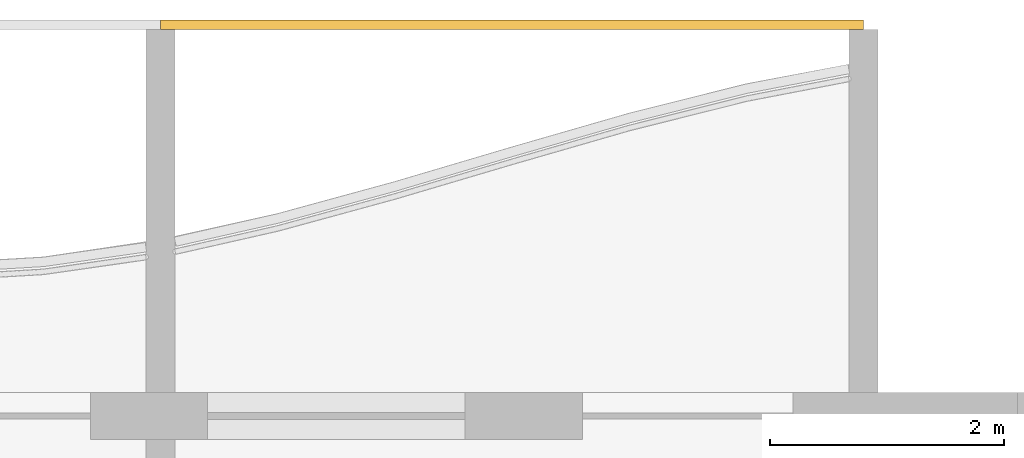
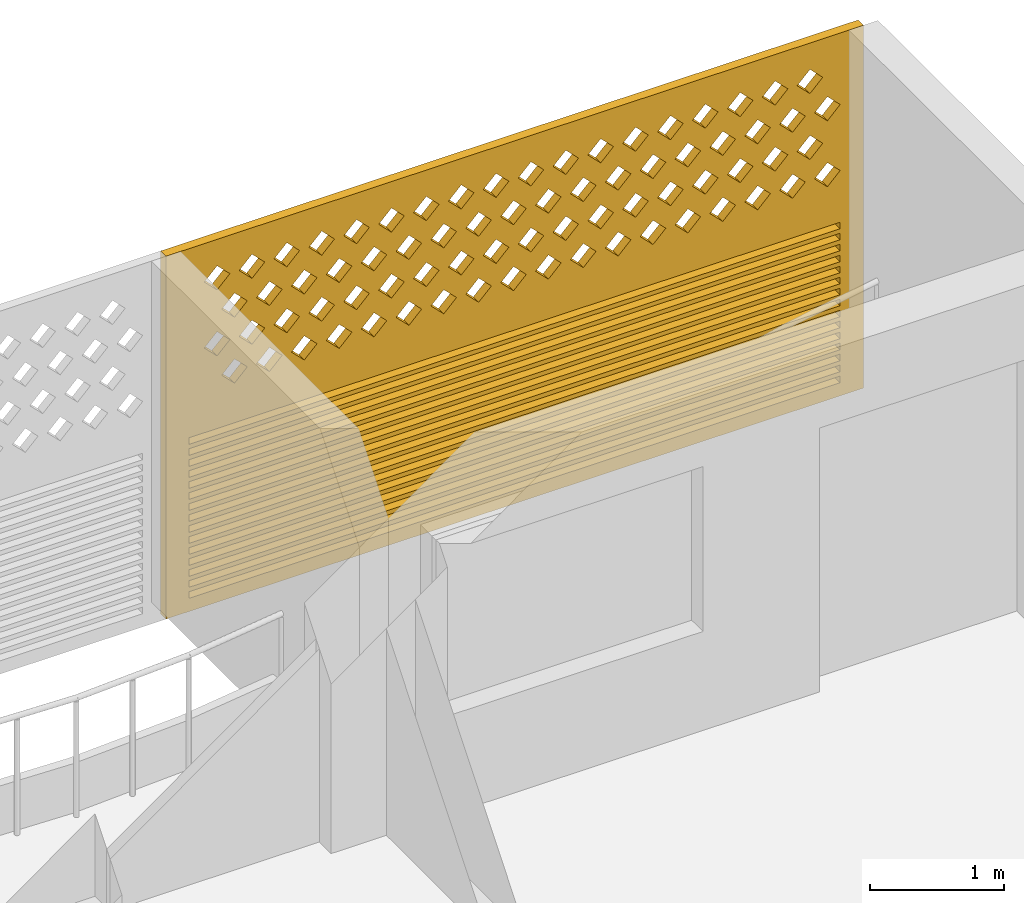
# One storey, part 26 of 26: 1 covering.
"""IFC4 building model written with IfcOpenShell, lengths in metres."""

import ifcopenshell
import ifcopenshell.guid

model = None  # the IFC model being written
_history = None  # IfcOwnerHistory: only IFC2X3 demands one
_inside = {}  # id of a spatial element -> (the spatial element, [elements in it])
_under = {}  # id of a project, library or spatial element -> (it, [spatial elements below it])
_declared = {}  # id of a project -> (the project, [libraries it declares])
_typed = {}  # id of a type object -> (the type object, [elements of that type])
_made_of = {}  # id of a material, layer set ... -> (it, [elements and type objects made of it])


def new_model(schema):
    """Start an empty IFC model of exactly this schema.

    Asked for "IFC4X3", IfcOpenShell would pick the latest addendum, in which some entities
    have other attributes; the version numbers below select the first issue.
    IFC2X3 requires an IfcOwnerHistory on every rooted entity: one is made here for all.
    """
    global model, _history
    if schema == "IFC4X3":
        model = ifcopenshell.file(schema_version=(4, 3, 0, 0))
    else:
        model = ifcopenshell.file(schema=schema)
    _inside.clear()
    _under.clear()
    _declared.clear()
    _typed.clear()
    _made_of.clear()
    _history = None
    if model.schema == "IFC2X3":
        org = make("IfcOrganization", Name="unknown")
        user = make(
            "IfcPersonAndOrganization",
            ThePerson=make("IfcPerson", FamilyName="unknown"),
            TheOrganization=org,
        )
        app = make(
            "IfcApplication",
            ApplicationDeveloper=org,
            Version="unknown",
            ApplicationFullName="unknown",
            ApplicationIdentifier="unknown",
        )
        _history = make(
            "IfcOwnerHistory",
            OwningUser=user,
            OwningApplication=app,
            ChangeAction="ADDED",
            CreationDate=0,
        )
    return model


def make(cls, **values):
    """One entity of the class cls with the attributes given. An attribute that is None is left unset."""
    return model.create_entity(
        cls, **{name: value for name, value in values.items() if value is not None}
    )


def rooted(cls, **values):
    """An entity with a GlobalId (a new one), such as an element, a storey or a relation."""
    return make(cls, GlobalId=ifcopenshell.guid.new(), OwnerHistory=_history, **values)


def si_unit(unit_type, name, prefix=None):
    """IfcSIUnit, for example si_unit("LENGTHUNIT", "METRE", prefix="MILLI")."""
    return make("IfcSIUnit", UnitType=unit_type, Prefix=prefix, Name=name)


def assignment(units):
    """IfcUnitAssignment: the units of a project."""
    return None if units is None else make("IfcUnitAssignment", Units=units)


def point(xyz):
    """IfcCartesianPoint."""
    return None if xyz is None else make("IfcCartesianPoint", Coordinates=xyz)


def direction(xyz):
    """IfcDirection."""
    return None if xyz is None else make("IfcDirection", DirectionRatios=xyz)


def frame(location, z_axis=None, x_axis=None):
    """IfcAxis2Placement3D, a coordinate frame: its origin and axes. An axis left out is left unset."""
    return make(
        "IfcAxis2Placement3D",
        Location=point(location),
        Axis=direction(z_axis),
        RefDirection=direction(x_axis),
    )


def origin():
    """The frame at (0, 0, 0) with its axes left unset."""
    return frame((0.0, 0.0, 0.0))


def place(relative_to, where):
    """IfcLocalPlacement: puts the frame where relative to a parent placement (None: the world)."""
    return make(
        "IfcLocalPlacement", PlacementRelTo=relative_to, RelativePlacement=where
    )


def context(
    kind, dimensions, precision=None, world=None, true_north=None, identifier=None
):
    """IfcGeometricRepresentationContext, for example the 3D "Model" context."""
    return make(
        "IfcGeometricRepresentationContext",
        ContextIdentifier=identifier,
        ContextType=kind,
        CoordinateSpaceDimension=dimensions,
        Precision=precision,
        WorldCoordinateSystem=world,
        TrueNorth=true_north,
    )


def subcontext(parent, identifier, kind, view, scale=None):
    """IfcGeometricRepresentationSubContext, for example "Body" below "Model"."""
    return make(
        "IfcGeometricRepresentationSubContext",
        ContextIdentifier=identifier,
        ContextType=kind,
        ParentContext=parent,
        TargetScale=scale,
        TargetView=view,
    )


def project(units=None, contexts=None):
    """IfcProject with its units and contexts."""
    return rooted(
        "IfcProject",
        Name="project",
        RepresentationContexts=contexts,
        UnitsInContext=assignment(units),
    )


def spatial(cls, under=None, at=None, **own):
    """A site, building, storey or space (cls), placed at a placement, below another one or the project."""
    s = rooted(cls, ObjectPlacement=at, **own)
    if under is not None:
        _under.setdefault(under.id(), (under, []))[1].append(s)
    return s


def polyline(points):
    """IfcPolyline through the points."""
    return make("IfcPolyline", Points=[point(p) for p in points])


def outline(outer, holes=None, kind="AREA"):
    """IfcArbitraryClosedProfileDef: a profile drawn as a closed curve; with holes, ...WithVoids."""
    if holes is None:
        return make("IfcArbitraryClosedProfileDef", ProfileType=kind, OuterCurve=outer)
    return make(
        "IfcArbitraryProfileDefWithVoids",
        ProfileType=kind,
        OuterCurve=outer,
        InnerCurves=holes,
    )


def extrude(swept, where, along, depth):
    """IfcExtrudedAreaSolid: the profile swept, set in the frame where, extruded along a direction by depth."""
    return make(
        "IfcExtrudedAreaSolid",
        SweptArea=swept,
        Position=where,
        ExtrudedDirection=direction(along),
        Depth=depth,
    )


def shape(context_of_items, identifier, shape_type, items):
    """IfcShapeRepresentation: the items that make up one representation, for example the "Body"."""
    return make(
        "IfcShapeRepresentation",
        ContextOfItems=context_of_items,
        RepresentationIdentifier=identifier,
        RepresentationType=shape_type,
        Items=items,
    )


def source(mapping_origin, context_of_items, identifier, shape_type, items):
    """IfcRepresentationMap: a shape defined once, which mapped items show again and again."""
    return make(
        "IfcRepresentationMap",
        MappingOrigin=mapping_origin,
        MappedRepresentation=shape(context_of_items, identifier, shape_type, items),
    )


def transform(
    local_origin,
    x_axis=None,
    y_axis=None,
    z_axis=None,
    scale=None,
    scale2=None,
    scale3=None,
    uniform=True,
):
    """IfcCartesianTransformationOperator3D, or its non-uniform kind. x_axis, y_axis, z_axis: its Axis1, 2, 3."""
    if uniform:
        return make(
            "IfcCartesianTransformationOperator3D",
            Axis1=direction(x_axis),
            Axis2=direction(y_axis),
            LocalOrigin=point(local_origin),
            Scale=scale,
            Axis3=direction(z_axis),
        )
    return make(
        "IfcCartesianTransformationOperator3DnonUniform",
        Axis1=direction(x_axis),
        Axis2=direction(y_axis),
        LocalOrigin=point(local_origin),
        Scale=scale,
        Axis3=direction(z_axis),
        Scale2=scale2,
        Scale3=scale3,
    )


def mapped(mapping_source, mapping_target):
    """IfcMappedItem: shows the shape of a source again, moved by a transform."""
    return make(
        "IfcMappedItem", MappingSource=mapping_source, MappingTarget=mapping_target
    )


def material(Name=None, Category=None):
    """IfcMaterial."""
    return make("IfcMaterial", Name=Name, Category=Category)


def material_profile(
    of_material, cross_section, Name=None, Category=None, Priority=None
):
    """IfcMaterialProfile: a cross section and its material."""
    return make(
        "IfcMaterialProfile",
        Name=Name,
        Material=of_material,
        Profile=cross_section,
        Priority=Priority,
        Category=Category,
    )


def profile_set(profiles, Name=None, composite=None):
    """IfcMaterialProfileSet."""
    return make(
        "IfcMaterialProfileSet",
        Name=Name,
        MaterialProfiles=profiles,
        CompositeProfile=composite,
    )


def made_of(thing, what):
    """Note that an element or type object is made of a material, layer set ...; save() writes the relation."""
    if what is not None:
        _made_of.setdefault(what.id(), (what, []))[1].append(thing)
    return thing


def type_object(cls, material=None, **own):
    """A type object (cls), such as IfcWallType, which elements share."""
    return made_of(rooted(cls, **own), material)


def element(
    cls,
    number,
    at=None,
    inside=None,
    cuts=None,
    type_object=None,
    material=None,
    context=None,
    identifier="Body",
    shape_type=None,
    held_by="IfcProductDefinitionShape",
    body=None,
    shapes=None,
    **own,
):
    """One element of the class cls, such as IfcWall. Its Tag is "e" and its number.

    at: its placement. inside: the storey or other place that contains it. cuts: it is an
    opening in that element (IfcRelVoidsElement). A single representation is given by context,
    identifier, shape_type and body (its items); several are given by shapes. held_by: the class
    of the entity that holds the representations. save() writes the other relations.
    """
    e = rooted(cls, Tag="e%d" % number, ObjectPlacement=at, **own)
    if body is not None:
        shapes = [shape(context, identifier, shape_type, body)]
    if shapes is not None:
        e.Representation = make(held_by, Representations=shapes)
    if inside is not None:
        _inside.setdefault(inside.id(), (inside, []))[1].append(e)
    if cuts is not None:
        rooted(
            "IfcRelVoidsElement", RelatingBuildingElement=cuts, RelatedOpeningElement=e
        )
    if type_object is not None:
        _typed.setdefault(type_object.id(), (type_object, []))[1].append(e)
    return made_of(e, material)


def aggregate(whole, parts):
    """IfcRelAggregates: a whole, such as a stair, and the parts it consists of."""
    return rooted("IfcRelAggregates", RelatingObject=whole, RelatedObjects=parts)


def save(model, path):
    """Write the relations noted so far, then the file.

    IfcRelAggregates (storeys below a building ...), IfcRelContainedInSpatialStructure (elements
    in a storey), IfcRelDefinesByType, IfcRelAssociatesMaterial and IfcRelDeclares: one each for
    every whole, place, type object, material and project.
    """
    for whole, parts in _under.values():
        aggregate(whole, parts)
    for where, things in _inside.values():
        rooted(
            "IfcRelContainedInSpatialStructure",
            RelatedElements=things,
            RelatingStructure=where,
        )
    for kind, things in _typed.values():
        rooted("IfcRelDefinesByType", RelatedObjects=things, RelatingType=kind)
    for what, things in _made_of.values():
        rooted("IfcRelAssociatesMaterial", RelatedObjects=things, RelatingMaterial=what)
    for by, libraries in _declared.values():
        rooted("IfcRelDeclares", RelatingContext=by, RelatedDefinitions=libraries)
    model.write(path)


model = new_model("IFC4")

# Units and contexts
model_context = context("Model", 3, precision=1e-05, world=origin(), true_north=direction((0.0, 1.0)))
body_context = subcontext(model_context, "Body", "Model", "MODEL_VIEW")
ifc_project = project(units=[si_unit("LENGTHUNIT", "METRE"), si_unit("AREAUNIT", "SQUARE_METRE"), si_unit("VOLUMEUNIT", "CUBIC_METRE"), si_unit("PLANEANGLEUNIT", "RADIAN"), si_unit("MASSUNIT", "GRAM", prefix="KILO")], contexts=[model_context])

# Site, building, storey
site_placement = place(None, origin())
site = spatial("IfcSite", under=ifc_project, at=site_placement, CompositionType="ELEMENT")
building_placement = place(site_placement, origin())
building = spatial("IfcBuilding", under=site, at=building_placement, Name="Poui Terraces", CompositionType="ELEMENT")
storey_placement = place(building_placement, frame((0.0, 0.0, 241.199951171875)))
storey = spatial("IfcBuildingStorey", under=building, at=storey_placement, Name="L67", CompositionType="ELEMENT", Elevation=241.199951171875)

# Covering
ifc_material = material(Name="Terracotta screen", Category="masonry")
ifc_material_profile = material_profile(ifc_material, outline(polyline([(-3.0, -1.64990234375), (3.0, -1.64990234375), (3.0, 1.64990234375), (-3.0, 1.64990234375), (-3.0, -1.64990234375)]), holes=[polyline([(-2.800048828125, 0.39990234375), (-2.68994140625, 0.2900390625), (-2.580078125, 0.39990234375), (-2.68994140625, 0.510009765625), (-2.800048828125, 0.39990234375)]), polyline([(-2.5, 0.39990234375), (-2.389892578125, 0.2900390625), (-2.280029296875, 0.39990234375), (-2.389892578125, 0.510009765625), (-2.5, 0.39990234375)]), polyline([(-2.199951171875, 0.39990234375), (-2.090087890625, 0.2900390625), (-1.97998046875, 0.39990234375), (-2.090087890625, 0.510009765625), (-2.199951171875, 0.39990234375)]), polyline([(-1.89990234375, 0.39990234375), (-1.7900390625, 0.2900390625), (-1.679931640625, 0.39990234375), (-1.7900390625, 0.510009765625), (-1.89990234375, 0.39990234375)]), polyline([(-1.60009765625, 0.39990234375), (-1.489990234375, 0.2900390625), (-1.3798828125, 0.39990234375), (-1.489990234375, 0.510009765625), (-1.60009765625, 0.39990234375)]), polyline([(-1.300048828125, 0.39990234375), (-1.18994140625, 0.2900390625), (-1.080078125, 0.39990234375), (-1.18994140625, 0.510009765625), (-1.300048828125, 0.39990234375)]), polyline([(-1.0, 0.39990234375), (-0.889892578125, 0.2900390625), (-0.780029296875, 0.39990234375), (-0.889892578125, 0.510009765625), (-1.0, 0.39990234375)]), polyline([(-0.699951171875, 0.39990234375), (-0.590087890625, 0.2900390625), (-0.47998046875, 0.39990234375), (-0.590087890625, 0.510009765625), (-0.699951171875, 0.39990234375)]), polyline([(-0.39990234375, 0.39990234375), (-0.2900390625, 0.2900390625), (-0.179931640625, 0.39990234375), (-0.2900390625, 0.510009765625), (-0.39990234375, 0.39990234375)]), polyline([(-0.10009765625, 0.39990234375), (0.010009765625, 0.2900390625), (0.1201171875, 0.39990234375), (0.010009765625, 0.510009765625), (-0.10009765625, 0.39990234375)]), polyline([(0.199951171875, 0.39990234375), (0.31005859375, 0.2900390625), (0.419921875, 0.39990234375), (0.31005859375, 0.510009765625), (0.199951171875, 0.39990234375)]), polyline([(0.5, 0.39990234375), (0.610107421875, 0.2900390625), (0.719970703125, 0.39990234375), (0.610107421875, 0.510009765625), (0.5, 0.39990234375)]), polyline([(0.800048828125, 0.39990234375), (0.909912109375, 0.2900390625), (1.02001953125, 0.39990234375), (0.909912109375, 0.510009765625), (0.800048828125, 0.39990234375)]), polyline([(1.10009765625, 0.39990234375), (1.2099609375, 0.2900390625), (1.320068359375, 0.39990234375), (1.2099609375, 0.510009765625), (1.10009765625, 0.39990234375)]), polyline([(1.39990234375, 0.39990234375), (1.510009765625, 0.2900390625), (1.6201171875, 0.39990234375), (1.510009765625, 0.510009765625), (1.39990234375, 0.39990234375)]), polyline([(1.699951171875, 0.39990234375), (1.81005859375, 0.2900390625), (1.919921875, 0.39990234375), (1.81005859375, 0.510009765625), (1.699951171875, 0.39990234375)]), polyline([(2.0, 0.39990234375), (2.110107421875, 0.2900390625), (2.219970703125, 0.39990234375), (2.110107421875, 0.510009765625), (2.0, 0.39990234375)]), polyline([(2.300048828125, 0.39990234375), (2.409912109375, 0.2900390625), (2.52001953125, 0.39990234375), (2.409912109375, 0.510009765625), (2.300048828125, 0.39990234375)]), polyline([(-2.64990234375, 0.699951171875), (-2.5400390625, 0.590087890625), (-2.429931640625, 0.699951171875), (-2.5400390625, 0.81005859375), (-2.64990234375, 0.699951171875)]), polyline([(-2.35009765625, 0.699951171875), (-2.239990234375, 0.590087890625), (-2.1298828125, 0.699951171875), (-2.239990234375, 0.81005859375), (-2.35009765625, 0.699951171875)]), polyline([(-2.050048828125, 0.699951171875), (-1.93994140625, 0.590087890625), (-1.830078125, 0.699951171875), (-1.93994140625, 0.81005859375), (-2.050048828125, 0.699951171875)]), polyline([(-1.75, 0.699951171875), (-1.639892578125, 0.590087890625), (-1.530029296875, 0.699951171875), (-1.639892578125, 0.81005859375), (-1.75, 0.699951171875)]), polyline([(-1.449951171875, 0.699951171875), (-1.340087890625, 0.590087890625), (-1.22998046875, 0.699951171875), (-1.340087890625, 0.81005859375), (-1.449951171875, 0.699951171875)]), polyline([(-1.14990234375, 0.699951171875), (-1.0400390625, 0.590087890625), (-0.929931640625, 0.699951171875), (-1.0400390625, 0.81005859375), (-1.14990234375, 0.699951171875)]), polyline([(-0.85009765625, 0.699951171875), (-0.739990234375, 0.590087890625), (-0.6298828125, 0.699951171875), (-0.739990234375, 0.81005859375), (-0.85009765625, 0.699951171875)]), polyline([(-0.550048828125, 0.699951171875), (-0.43994140625, 0.590087890625), (-0.330078125, 0.699951171875), (-0.43994140625, 0.81005859375), (-0.550048828125, 0.699951171875)]), polyline([(-0.25, 0.699951171875), (-0.139892578125, 0.590087890625), (-0.030029296875, 0.699951171875), (-0.139892578125, 0.81005859375), (-0.25, 0.699951171875)]), polyline([(0.050048828125, 0.699951171875), (0.159912109375, 0.590087890625), (0.27001953125, 0.699951171875), (0.159912109375, 0.81005859375), (0.050048828125, 0.699951171875)]), polyline([(0.35009765625, 0.699951171875), (0.4599609375, 0.590087890625), (0.570068359375, 0.699951171875), (0.4599609375, 0.81005859375), (0.35009765625, 0.699951171875)]), polyline([(0.64990234375, 0.699951171875), (0.760009765625, 0.590087890625), (0.8701171875, 0.699951171875), (0.760009765625, 0.81005859375), (0.64990234375, 0.699951171875)]), polyline([(0.949951171875, 0.699951171875), (1.06005859375, 0.590087890625), (1.169921875, 0.699951171875), (1.06005859375, 0.81005859375), (0.949951171875, 0.699951171875)]), polyline([(1.25, 0.699951171875), (1.360107421875, 0.590087890625), (1.469970703125, 0.699951171875), (1.360107421875, 0.81005859375), (1.25, 0.699951171875)]), polyline([(1.550048828125, 0.699951171875), (1.659912109375, 0.590087890625), (1.77001953125, 0.699951171875), (1.659912109375, 0.81005859375), (1.550048828125, 0.699951171875)]), polyline([(1.85009765625, 0.699951171875), (1.9599609375, 0.590087890625), (2.070068359375, 0.699951171875), (1.9599609375, 0.81005859375), (1.85009765625, 0.699951171875)]), polyline([(2.14990234375, 0.699951171875), (2.260009765625, 0.590087890625), (2.3701171875, 0.699951171875), (2.260009765625, 0.81005859375), (2.14990234375, 0.699951171875)]), polyline([(2.449951171875, 0.699951171875), (2.56005859375, 0.590087890625), (2.669921875, 0.699951171875), (2.56005859375, 0.81005859375), (2.449951171875, 0.699951171875)]), polyline([(-2.800048828125, 1.0), (-2.68994140625, 0.889892578125), (-2.580078125, 1.0), (-2.68994140625, 1.110107421875), (-2.800048828125, 1.0)]), polyline([(-2.5, 1.0), (-2.389892578125, 0.889892578125), (-2.280029296875, 1.0), (-2.389892578125, 1.110107421875), (-2.5, 1.0)]), polyline([(-2.199951171875, 1.0), (-2.090087890625, 0.889892578125), (-1.97998046875, 1.0), (-2.090087890625, 1.110107421875), (-2.199951171875, 1.0)]), polyline([(-1.89990234375, 1.0), (-1.7900390625, 0.889892578125), (-1.679931640625, 1.0), (-1.7900390625, 1.110107421875), (-1.89990234375, 1.0)]), polyline([(-1.60009765625, 1.0), (-1.489990234375, 0.889892578125), (-1.3798828125, 1.0), (-1.489990234375, 1.110107421875), (-1.60009765625, 1.0)]), polyline([(-1.300048828125, 1.0), (-1.18994140625, 0.889892578125), (-1.080078125, 1.0), (-1.18994140625, 1.110107421875), (-1.300048828125, 1.0)]), polyline([(-1.0, 1.0), (-0.889892578125, 0.889892578125), (-0.780029296875, 1.0), (-0.889892578125, 1.110107421875), (-1.0, 1.0)]), polyline([(-0.699951171875, 1.0), (-0.590087890625, 0.889892578125), (-0.47998046875, 1.0), (-0.590087890625, 1.110107421875), (-0.699951171875, 1.0)]), polyline([(-0.39990234375, 1.0), (-0.2900390625, 0.889892578125), (-0.179931640625, 1.0), (-0.2900390625, 1.110107421875), (-0.39990234375, 1.0)]), polyline([(-0.10009765625, 1.0), (0.010009765625, 0.889892578125), (0.1201171875, 1.0), (0.010009765625, 1.110107421875), (-0.10009765625, 1.0)]), polyline([(0.199951171875, 1.0), (0.31005859375, 0.889892578125), (0.419921875, 1.0), (0.31005859375, 1.110107421875), (0.199951171875, 1.0)]), polyline([(0.5, 1.0), (0.610107421875, 0.889892578125), (0.719970703125, 1.0), (0.610107421875, 1.110107421875), (0.5, 1.0)]), polyline([(0.800048828125, 1.0), (0.909912109375, 0.889892578125), (1.02001953125, 1.0), (0.909912109375, 1.110107421875), (0.800048828125, 1.0)]), polyline([(1.10009765625, 1.0), (1.2099609375, 0.889892578125), (1.320068359375, 1.0), (1.2099609375, 1.110107421875), (1.10009765625, 1.0)]), polyline([(1.39990234375, 1.0), (1.510009765625, 0.889892578125), (1.6201171875, 1.0), (1.510009765625, 1.110107421875), (1.39990234375, 1.0)]), polyline([(1.699951171875, 1.0), (1.81005859375, 0.889892578125), (1.919921875, 1.0), (1.81005859375, 1.110107421875), (1.699951171875, 1.0)]), polyline([(2.0, 1.0), (2.110107421875, 0.889892578125), (2.219970703125, 1.0), (2.110107421875, 1.110107421875), (2.0, 1.0)]), polyline([(2.300048828125, 1.0), (2.409912109375, 0.889892578125), (2.52001953125, 1.0), (2.409912109375, 1.110107421875), (2.300048828125, 1.0)]), polyline([(-2.64990234375, 1.300048828125), (-2.5400390625, 1.18994140625), (-2.429931640625, 1.300048828125), (-2.5400390625, 1.409912109375), (-2.64990234375, 1.300048828125)]), polyline([(-2.35009765625, 1.300048828125), (-2.239990234375, 1.18994140625), (-2.1298828125, 1.300048828125), (-2.239990234375, 1.409912109375), (-2.35009765625, 1.300048828125)]), polyline([(-2.050048828125, 1.300048828125), (-1.93994140625, 1.18994140625), (-1.830078125, 1.300048828125), (-1.93994140625, 1.409912109375), (-2.050048828125, 1.300048828125)]), polyline([(-1.75, 1.300048828125), (-1.639892578125, 1.18994140625), (-1.530029296875, 1.300048828125), (-1.639892578125, 1.409912109375), (-1.75, 1.300048828125)]), polyline([(-1.449951171875, 1.300048828125), (-1.340087890625, 1.18994140625), (-1.22998046875, 1.300048828125), (-1.340087890625, 1.409912109375), (-1.449951171875, 1.300048828125)]), polyline([(-1.14990234375, 1.300048828125), (-1.0400390625, 1.18994140625), (-0.929931640625, 1.300048828125), (-1.0400390625, 1.409912109375), (-1.14990234375, 1.300048828125)]), polyline([(-0.85009765625, 1.300048828125), (-0.739990234375, 1.18994140625), (-0.6298828125, 1.300048828125), (-0.739990234375, 1.409912109375), (-0.85009765625, 1.300048828125)]), polyline([(-0.550048828125, 1.300048828125), (-0.43994140625, 1.18994140625), (-0.330078125, 1.300048828125), (-0.43994140625, 1.409912109375), (-0.550048828125, 1.300048828125)]), polyline([(-0.25, 1.300048828125), (-0.139892578125, 1.18994140625), (-0.030029296875, 1.300048828125), (-0.139892578125, 1.409912109375), (-0.25, 1.300048828125)]), polyline([(0.050048828125, 1.300048828125), (0.159912109375, 1.18994140625), (0.27001953125, 1.300048828125), (0.159912109375, 1.409912109375), (0.050048828125, 1.300048828125)]), polyline([(0.35009765625, 1.300048828125), (0.4599609375, 1.18994140625), (0.570068359375, 1.300048828125), (0.4599609375, 1.409912109375), (0.35009765625, 1.300048828125)]), polyline([(0.64990234375, 1.300048828125), (0.760009765625, 1.18994140625), (0.8701171875, 1.300048828125), (0.760009765625, 1.409912109375), (0.64990234375, 1.300048828125)]), polyline([(0.949951171875, 1.300048828125), (1.06005859375, 1.18994140625), (1.169921875, 1.300048828125), (1.06005859375, 1.409912109375), (0.949951171875, 1.300048828125)]), polyline([(1.25, 1.300048828125), (1.360107421875, 1.18994140625), (1.469970703125, 1.300048828125), (1.360107421875, 1.409912109375), (1.25, 1.300048828125)]), polyline([(1.550048828125, 1.300048828125), (1.659912109375, 1.18994140625), (1.77001953125, 1.300048828125), (1.659912109375, 1.409912109375), (1.550048828125, 1.300048828125)]), polyline([(1.85009765625, 1.300048828125), (1.9599609375, 1.18994140625), (2.070068359375, 1.300048828125), (1.9599609375, 1.409912109375), (1.85009765625, 1.300048828125)]), polyline([(2.14990234375, 1.300048828125), (2.260009765625, 1.18994140625), (2.3701171875, 1.300048828125), (2.260009765625, 1.409912109375), (2.14990234375, 1.300048828125)]), polyline([(2.449951171875, 1.300048828125), (2.56005859375, 1.18994140625), (2.669921875, 1.300048828125), (2.56005859375, 1.409912109375), (2.449951171875, 1.300048828125)]), polyline([(-2.800048828125, -1.530029296875), (2.800048828125, -1.530029296875), (2.800048828125, -1.469970703125), (-2.800048828125, -1.469970703125), (-2.800048828125, -1.530029296875)]), polyline([(-2.800048828125, -1.429931640625), (2.800048828125, -1.429931640625), (2.800048828125, -1.3701171875), (-2.800048828125, -1.3701171875), (-2.800048828125, -1.429931640625)]), polyline([(-2.800048828125, -1.330078125), (2.800048828125, -1.330078125), (2.800048828125, -1.27001953125), (-2.800048828125, -1.27001953125), (-2.800048828125, -1.330078125)]), polyline([(-2.800048828125, -1.22998046875), (2.800048828125, -1.22998046875), (2.800048828125, -1.169921875), (-2.800048828125, -1.169921875), (-2.800048828125, -1.22998046875)]), polyline([(-2.800048828125, -1.1298828125), (2.800048828125, -1.1298828125), (2.800048828125, -1.070068359375), (-2.800048828125, -1.070068359375), (-2.800048828125, -1.1298828125)]), polyline([(-2.800048828125, -1.030029296875), (2.800048828125, -1.030029296875), (2.800048828125, -0.969970703125), (-2.800048828125, -0.969970703125), (-2.800048828125, -1.030029296875)]), polyline([(-2.800048828125, -0.929931640625), (2.800048828125, -0.929931640625), (2.800048828125, -0.8701171875), (-2.800048828125, -0.8701171875), (-2.800048828125, -0.929931640625)]), polyline([(-2.800048828125, -0.830078125), (2.800048828125, -0.830078125), (2.800048828125, -0.77001953125), (-2.800048828125, -0.77001953125), (-2.800048828125, -0.830078125)]), polyline([(-2.800048828125, -0.72998046875), (2.800048828125, -0.72998046875), (2.800048828125, -0.669921875), (-2.800048828125, -0.669921875), (-2.800048828125, -0.72998046875)]), polyline([(-2.800048828125, -0.6298828125), (2.800048828125, -0.6298828125), (2.800048828125, -0.570068359375), (-2.800048828125, -0.570068359375), (-2.800048828125, -0.6298828125)]), polyline([(-2.800048828125, -0.530029296875), (2.800048828125, -0.530029296875), (2.800048828125, -0.469970703125), (-2.800048828125, -0.469970703125), (-2.800048828125, -0.530029296875)]), polyline([(-2.800048828125, -0.429931640625), (2.800048828125, -0.429931640625), (2.800048828125, -0.3701171875), (-2.800048828125, -0.3701171875), (-2.800048828125, -0.429931640625)]), polyline([(-2.800048828125, -0.330078125), (2.800048828125, -0.330078125), (2.800048828125, -0.27001953125), (-2.800048828125, -0.27001953125), (-2.800048828125, -0.330078125)]), polyline([(-2.800048828125, -0.22998046875), (2.800048828125, -0.22998046875), (2.800048828125, -0.169921875), (-2.800048828125, -0.169921875), (-2.800048828125, -0.22998046875)]), polyline([(-2.800048828125, -0.1298828125), (2.800048828125, -0.1298828125), (2.800048828125, -0.070068359375), (-2.800048828125, -0.070068359375), (-2.800048828125, -0.1298828125)])]), Name="TERRACOTTA SCREEN AND JALOUSIE LOUVRE 6000X3300")
ifc_profile_set = profile_set([ifc_material_profile], Name="Terracotta screen")
covering_type = type_object("IfcCoveringType", Name="TERRACOTTA SCREEN AND JALOUSIE LOUVRE 6000X3300", PredefinedType="CLADDING", material=ifc_profile_set)
shared_shape = source(origin(), body_context, "Body", "SweptSolid", [
    extrude(outline(polyline([(-3.0, -1.64990234375), (3.0, -1.64990234375), (3.0, 1.64990234375), (-3.0, 1.64990234375), (-3.0, -1.64990234375)]), holes=[polyline([(-2.800048828125, 0.39990234375), (-2.68994140625, 0.2900390625), (-2.580078125, 0.39990234375), (-2.68994140625, 0.510009765625), (-2.800048828125, 0.39990234375)]), polyline([(-2.5, 0.39990234375), (-2.389892578125, 0.2900390625), (-2.280029296875, 0.39990234375), (-2.389892578125, 0.510009765625), (-2.5, 0.39990234375)]), polyline([(-2.199951171875, 0.39990234375), (-2.090087890625, 0.2900390625), (-1.97998046875, 0.39990234375), (-2.090087890625, 0.510009765625), (-2.199951171875, 0.39990234375)]), polyline([(-1.89990234375, 0.39990234375), (-1.7900390625, 0.2900390625), (-1.679931640625, 0.39990234375), (-1.7900390625, 0.510009765625), (-1.89990234375, 0.39990234375)]), polyline([(-1.60009765625, 0.39990234375), (-1.489990234375, 0.2900390625), (-1.3798828125, 0.39990234375), (-1.489990234375, 0.510009765625), (-1.60009765625, 0.39990234375)]), polyline([(-1.300048828125, 0.39990234375), (-1.18994140625, 0.2900390625), (-1.080078125, 0.39990234375), (-1.18994140625, 0.510009765625), (-1.300048828125, 0.39990234375)]), polyline([(-1.0, 0.39990234375), (-0.889892578125, 0.2900390625), (-0.780029296875, 0.39990234375), (-0.889892578125, 0.510009765625), (-1.0, 0.39990234375)]), polyline([(-0.699951171875, 0.39990234375), (-0.590087890625, 0.2900390625), (-0.47998046875, 0.39990234375), (-0.590087890625, 0.510009765625), (-0.699951171875, 0.39990234375)]), polyline([(-0.39990234375, 0.39990234375), (-0.2900390625, 0.2900390625), (-0.179931640625, 0.39990234375), (-0.2900390625, 0.510009765625), (-0.39990234375, 0.39990234375)]), polyline([(-0.10009765625, 0.39990234375), (0.010009765625, 0.2900390625), (0.1201171875, 0.39990234375), (0.010009765625, 0.510009765625), (-0.10009765625, 0.39990234375)]), polyline([(0.199951171875, 0.39990234375), (0.31005859375, 0.2900390625), (0.419921875, 0.39990234375), (0.31005859375, 0.510009765625), (0.199951171875, 0.39990234375)]), polyline([(0.5, 0.39990234375), (0.610107421875, 0.2900390625), (0.719970703125, 0.39990234375), (0.610107421875, 0.510009765625), (0.5, 0.39990234375)]), polyline([(0.800048828125, 0.39990234375), (0.909912109375, 0.2900390625), (1.02001953125, 0.39990234375), (0.909912109375, 0.510009765625), (0.800048828125, 0.39990234375)]), polyline([(1.10009765625, 0.39990234375), (1.2099609375, 0.2900390625), (1.320068359375, 0.39990234375), (1.2099609375, 0.510009765625), (1.10009765625, 0.39990234375)]), polyline([(1.39990234375, 0.39990234375), (1.510009765625, 0.2900390625), (1.6201171875, 0.39990234375), (1.510009765625, 0.510009765625), (1.39990234375, 0.39990234375)]), polyline([(1.699951171875, 0.39990234375), (1.81005859375, 0.2900390625), (1.919921875, 0.39990234375), (1.81005859375, 0.510009765625), (1.699951171875, 0.39990234375)]), polyline([(2.0, 0.39990234375), (2.110107421875, 0.2900390625), (2.219970703125, 0.39990234375), (2.110107421875, 0.510009765625), (2.0, 0.39990234375)]), polyline([(2.300048828125, 0.39990234375), (2.409912109375, 0.2900390625), (2.52001953125, 0.39990234375), (2.409912109375, 0.510009765625), (2.300048828125, 0.39990234375)]), polyline([(-2.64990234375, 0.699951171875), (-2.5400390625, 0.590087890625), (-2.429931640625, 0.699951171875), (-2.5400390625, 0.81005859375), (-2.64990234375, 0.699951171875)]), polyline([(-2.35009765625, 0.699951171875), (-2.239990234375, 0.590087890625), (-2.1298828125, 0.699951171875), (-2.239990234375, 0.81005859375), (-2.35009765625, 0.699951171875)]), polyline([(-2.050048828125, 0.699951171875), (-1.93994140625, 0.590087890625), (-1.830078125, 0.699951171875), (-1.93994140625, 0.81005859375), (-2.050048828125, 0.699951171875)]), polyline([(-1.75, 0.699951171875), (-1.639892578125, 0.590087890625), (-1.530029296875, 0.699951171875), (-1.639892578125, 0.81005859375), (-1.75, 0.699951171875)]), polyline([(-1.449951171875, 0.699951171875), (-1.340087890625, 0.590087890625), (-1.22998046875, 0.699951171875), (-1.340087890625, 0.81005859375), (-1.449951171875, 0.699951171875)]), polyline([(-1.14990234375, 0.699951171875), (-1.0400390625, 0.590087890625), (-0.929931640625, 0.699951171875), (-1.0400390625, 0.81005859375), (-1.14990234375, 0.699951171875)]), polyline([(-0.85009765625, 0.699951171875), (-0.739990234375, 0.590087890625), (-0.6298828125, 0.699951171875), (-0.739990234375, 0.81005859375), (-0.85009765625, 0.699951171875)]), polyline([(-0.550048828125, 0.699951171875), (-0.43994140625, 0.590087890625), (-0.330078125, 0.699951171875), (-0.43994140625, 0.81005859375), (-0.550048828125, 0.699951171875)]), polyline([(-0.25, 0.699951171875), (-0.139892578125, 0.590087890625), (-0.030029296875, 0.699951171875), (-0.139892578125, 0.81005859375), (-0.25, 0.699951171875)]), polyline([(0.050048828125, 0.699951171875), (0.159912109375, 0.590087890625), (0.27001953125, 0.699951171875), (0.159912109375, 0.81005859375), (0.050048828125, 0.699951171875)]), polyline([(0.35009765625, 0.699951171875), (0.4599609375, 0.590087890625), (0.570068359375, 0.699951171875), (0.4599609375, 0.81005859375), (0.35009765625, 0.699951171875)]), polyline([(0.64990234375, 0.699951171875), (0.760009765625, 0.590087890625), (0.8701171875, 0.699951171875), (0.760009765625, 0.81005859375), (0.64990234375, 0.699951171875)]), polyline([(0.949951171875, 0.699951171875), (1.06005859375, 0.590087890625), (1.169921875, 0.699951171875), (1.06005859375, 0.81005859375), (0.949951171875, 0.699951171875)]), polyline([(1.25, 0.699951171875), (1.360107421875, 0.590087890625), (1.469970703125, 0.699951171875), (1.360107421875, 0.81005859375), (1.25, 0.699951171875)]), polyline([(1.550048828125, 0.699951171875), (1.659912109375, 0.590087890625), (1.77001953125, 0.699951171875), (1.659912109375, 0.81005859375), (1.550048828125, 0.699951171875)]), polyline([(1.85009765625, 0.699951171875), (1.9599609375, 0.590087890625), (2.070068359375, 0.699951171875), (1.9599609375, 0.81005859375), (1.85009765625, 0.699951171875)]), polyline([(2.14990234375, 0.699951171875), (2.260009765625, 0.590087890625), (2.3701171875, 0.699951171875), (2.260009765625, 0.81005859375), (2.14990234375, 0.699951171875)]), polyline([(2.449951171875, 0.699951171875), (2.56005859375, 0.590087890625), (2.669921875, 0.699951171875), (2.56005859375, 0.81005859375), (2.449951171875, 0.699951171875)]), polyline([(-2.800048828125, 1.0), (-2.68994140625, 0.889892578125), (-2.580078125, 1.0), (-2.68994140625, 1.110107421875), (-2.800048828125, 1.0)]), polyline([(-2.5, 1.0), (-2.389892578125, 0.889892578125), (-2.280029296875, 1.0), (-2.389892578125, 1.110107421875), (-2.5, 1.0)]), polyline([(-2.199951171875, 1.0), (-2.090087890625, 0.889892578125), (-1.97998046875, 1.0), (-2.090087890625, 1.110107421875), (-2.199951171875, 1.0)]), polyline([(-1.89990234375, 1.0), (-1.7900390625, 0.889892578125), (-1.679931640625, 1.0), (-1.7900390625, 1.110107421875), (-1.89990234375, 1.0)]), polyline([(-1.60009765625, 1.0), (-1.489990234375, 0.889892578125), (-1.3798828125, 1.0), (-1.489990234375, 1.110107421875), (-1.60009765625, 1.0)]), polyline([(-1.300048828125, 1.0), (-1.18994140625, 0.889892578125), (-1.080078125, 1.0), (-1.18994140625, 1.110107421875), (-1.300048828125, 1.0)]), polyline([(-1.0, 1.0), (-0.889892578125, 0.889892578125), (-0.780029296875, 1.0), (-0.889892578125, 1.110107421875), (-1.0, 1.0)]), polyline([(-0.699951171875, 1.0), (-0.590087890625, 0.889892578125), (-0.47998046875, 1.0), (-0.590087890625, 1.110107421875), (-0.699951171875, 1.0)]), polyline([(-0.39990234375, 1.0), (-0.2900390625, 0.889892578125), (-0.179931640625, 1.0), (-0.2900390625, 1.110107421875), (-0.39990234375, 1.0)]), polyline([(-0.10009765625, 1.0), (0.010009765625, 0.889892578125), (0.1201171875, 1.0), (0.010009765625, 1.110107421875), (-0.10009765625, 1.0)]), polyline([(0.199951171875, 1.0), (0.31005859375, 0.889892578125), (0.419921875, 1.0), (0.31005859375, 1.110107421875), (0.199951171875, 1.0)]), polyline([(0.5, 1.0), (0.610107421875, 0.889892578125), (0.719970703125, 1.0), (0.610107421875, 1.110107421875), (0.5, 1.0)]), polyline([(0.800048828125, 1.0), (0.909912109375, 0.889892578125), (1.02001953125, 1.0), (0.909912109375, 1.110107421875), (0.800048828125, 1.0)]), polyline([(1.10009765625, 1.0), (1.2099609375, 0.889892578125), (1.320068359375, 1.0), (1.2099609375, 1.110107421875), (1.10009765625, 1.0)]), polyline([(1.39990234375, 1.0), (1.510009765625, 0.889892578125), (1.6201171875, 1.0), (1.510009765625, 1.110107421875), (1.39990234375, 1.0)]), polyline([(1.699951171875, 1.0), (1.81005859375, 0.889892578125), (1.919921875, 1.0), (1.81005859375, 1.110107421875), (1.699951171875, 1.0)]), polyline([(2.0, 1.0), (2.110107421875, 0.889892578125), (2.219970703125, 1.0), (2.110107421875, 1.110107421875), (2.0, 1.0)]), polyline([(2.300048828125, 1.0), (2.409912109375, 0.889892578125), (2.52001953125, 1.0), (2.409912109375, 1.110107421875), (2.300048828125, 1.0)]), polyline([(-2.64990234375, 1.300048828125), (-2.5400390625, 1.18994140625), (-2.429931640625, 1.300048828125), (-2.5400390625, 1.409912109375), (-2.64990234375, 1.300048828125)]), polyline([(-2.35009765625, 1.300048828125), (-2.239990234375, 1.18994140625), (-2.1298828125, 1.300048828125), (-2.239990234375, 1.409912109375), (-2.35009765625, 1.300048828125)]), polyline([(-2.050048828125, 1.300048828125), (-1.93994140625, 1.18994140625), (-1.830078125, 1.300048828125), (-1.93994140625, 1.409912109375), (-2.050048828125, 1.300048828125)]), polyline([(-1.75, 1.300048828125), (-1.639892578125, 1.18994140625), (-1.530029296875, 1.300048828125), (-1.639892578125, 1.409912109375), (-1.75, 1.300048828125)]), polyline([(-1.449951171875, 1.300048828125), (-1.340087890625, 1.18994140625), (-1.22998046875, 1.300048828125), (-1.340087890625, 1.409912109375), (-1.449951171875, 1.300048828125)]), polyline([(-1.14990234375, 1.300048828125), (-1.0400390625, 1.18994140625), (-0.929931640625, 1.300048828125), (-1.0400390625, 1.409912109375), (-1.14990234375, 1.300048828125)]), polyline([(-0.85009765625, 1.300048828125), (-0.739990234375, 1.18994140625), (-0.6298828125, 1.300048828125), (-0.739990234375, 1.409912109375), (-0.85009765625, 1.300048828125)]), polyline([(-0.550048828125, 1.300048828125), (-0.43994140625, 1.18994140625), (-0.330078125, 1.300048828125), (-0.43994140625, 1.409912109375), (-0.550048828125, 1.300048828125)]), polyline([(-0.25, 1.300048828125), (-0.139892578125, 1.18994140625), (-0.030029296875, 1.300048828125), (-0.139892578125, 1.409912109375), (-0.25, 1.300048828125)]), polyline([(0.050048828125, 1.300048828125), (0.159912109375, 1.18994140625), (0.27001953125, 1.300048828125), (0.159912109375, 1.409912109375), (0.050048828125, 1.300048828125)]), polyline([(0.35009765625, 1.300048828125), (0.4599609375, 1.18994140625), (0.570068359375, 1.300048828125), (0.4599609375, 1.409912109375), (0.35009765625, 1.300048828125)]), polyline([(0.64990234375, 1.300048828125), (0.760009765625, 1.18994140625), (0.8701171875, 1.300048828125), (0.760009765625, 1.409912109375), (0.64990234375, 1.300048828125)]), polyline([(0.949951171875, 1.300048828125), (1.06005859375, 1.18994140625), (1.169921875, 1.300048828125), (1.06005859375, 1.409912109375), (0.949951171875, 1.300048828125)]), polyline([(1.25, 1.300048828125), (1.360107421875, 1.18994140625), (1.469970703125, 1.300048828125), (1.360107421875, 1.409912109375), (1.25, 1.300048828125)]), polyline([(1.550048828125, 1.300048828125), (1.659912109375, 1.18994140625), (1.77001953125, 1.300048828125), (1.659912109375, 1.409912109375), (1.550048828125, 1.300048828125)]), polyline([(1.85009765625, 1.300048828125), (1.9599609375, 1.18994140625), (2.070068359375, 1.300048828125), (1.9599609375, 1.409912109375), (1.85009765625, 1.300048828125)]), polyline([(2.14990234375, 1.300048828125), (2.260009765625, 1.18994140625), (2.3701171875, 1.300048828125), (2.260009765625, 1.409912109375), (2.14990234375, 1.300048828125)]), polyline([(2.449951171875, 1.300048828125), (2.56005859375, 1.18994140625), (2.669921875, 1.300048828125), (2.56005859375, 1.409912109375), (2.449951171875, 1.300048828125)]), polyline([(-2.800048828125, -1.530029296875), (2.800048828125, -1.530029296875), (2.800048828125, -1.469970703125), (-2.800048828125, -1.469970703125), (-2.800048828125, -1.530029296875)]), polyline([(-2.800048828125, -1.429931640625), (2.800048828125, -1.429931640625), (2.800048828125, -1.3701171875), (-2.800048828125, -1.3701171875), (-2.800048828125, -1.429931640625)]), polyline([(-2.800048828125, -1.330078125), (2.800048828125, -1.330078125), (2.800048828125, -1.27001953125), (-2.800048828125, -1.27001953125), (-2.800048828125, -1.330078125)]), polyline([(-2.800048828125, -1.22998046875), (2.800048828125, -1.22998046875), (2.800048828125, -1.169921875), (-2.800048828125, -1.169921875), (-2.800048828125, -1.22998046875)]), polyline([(-2.800048828125, -1.1298828125), (2.800048828125, -1.1298828125), (2.800048828125, -1.070068359375), (-2.800048828125, -1.070068359375), (-2.800048828125, -1.1298828125)]), polyline([(-2.800048828125, -1.030029296875), (2.800048828125, -1.030029296875), (2.800048828125, -0.969970703125), (-2.800048828125, -0.969970703125), (-2.800048828125, -1.030029296875)]), polyline([(-2.800048828125, -0.929931640625), (2.800048828125, -0.929931640625), (2.800048828125, -0.8701171875), (-2.800048828125, -0.8701171875), (-2.800048828125, -0.929931640625)]), polyline([(-2.800048828125, -0.830078125), (2.800048828125, -0.830078125), (2.800048828125, -0.77001953125), (-2.800048828125, -0.77001953125), (-2.800048828125, -0.830078125)]), polyline([(-2.800048828125, -0.72998046875), (2.800048828125, -0.72998046875), (2.800048828125, -0.669921875), (-2.800048828125, -0.669921875), (-2.800048828125, -0.72998046875)]), polyline([(-2.800048828125, -0.6298828125), (2.800048828125, -0.6298828125), (2.800048828125, -0.570068359375), (-2.800048828125, -0.570068359375), (-2.800048828125, -0.6298828125)]), polyline([(-2.800048828125, -0.530029296875), (2.800048828125, -0.530029296875), (2.800048828125, -0.469970703125), (-2.800048828125, -0.469970703125), (-2.800048828125, -0.530029296875)]), polyline([(-2.800048828125, -0.429931640625), (2.800048828125, -0.429931640625), (2.800048828125, -0.3701171875), (-2.800048828125, -0.3701171875), (-2.800048828125, -0.429931640625)]), polyline([(-2.800048828125, -0.330078125), (2.800048828125, -0.330078125), (2.800048828125, -0.27001953125), (-2.800048828125, -0.27001953125), (-2.800048828125, -0.330078125)]), polyline([(-2.800048828125, -0.22998046875), (2.800048828125, -0.22998046875), (2.800048828125, -0.169921875), (-2.800048828125, -0.169921875), (-2.800048828125, -0.22998046875)]), polyline([(-2.800048828125, -0.1298828125), (2.800048828125, -0.1298828125), (2.800048828125, -0.070068359375), (-2.800048828125, -0.070068359375), (-2.800048828125, -0.1298828125)])]), origin(), (0.0, 0.0, 1.0), 0.080078125),
])
covering_placement = place(storey_placement, frame((75.0, 44.5, 1.449951171875), z_axis=(0.0, 1.0, 0.0), x_axis=(-1.0, 0.0, 0.0)))
element("IfcCovering", 1, at=covering_placement, inside=storey, type_object=covering_type, Name="SOLAR SCREEN AND JALOUSIE LOUVRE", PredefinedType="CLADDING", context=body_context, shape_type="MappedRepresentation", body=[
    mapped(shared_shape, transform((0.0, 0.0, 0.0))),
])

save(model, "model.ifc")
